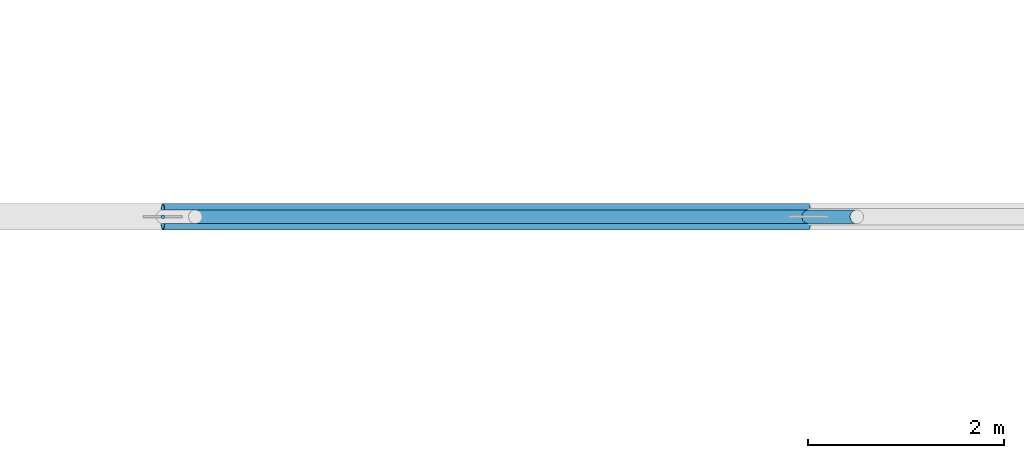
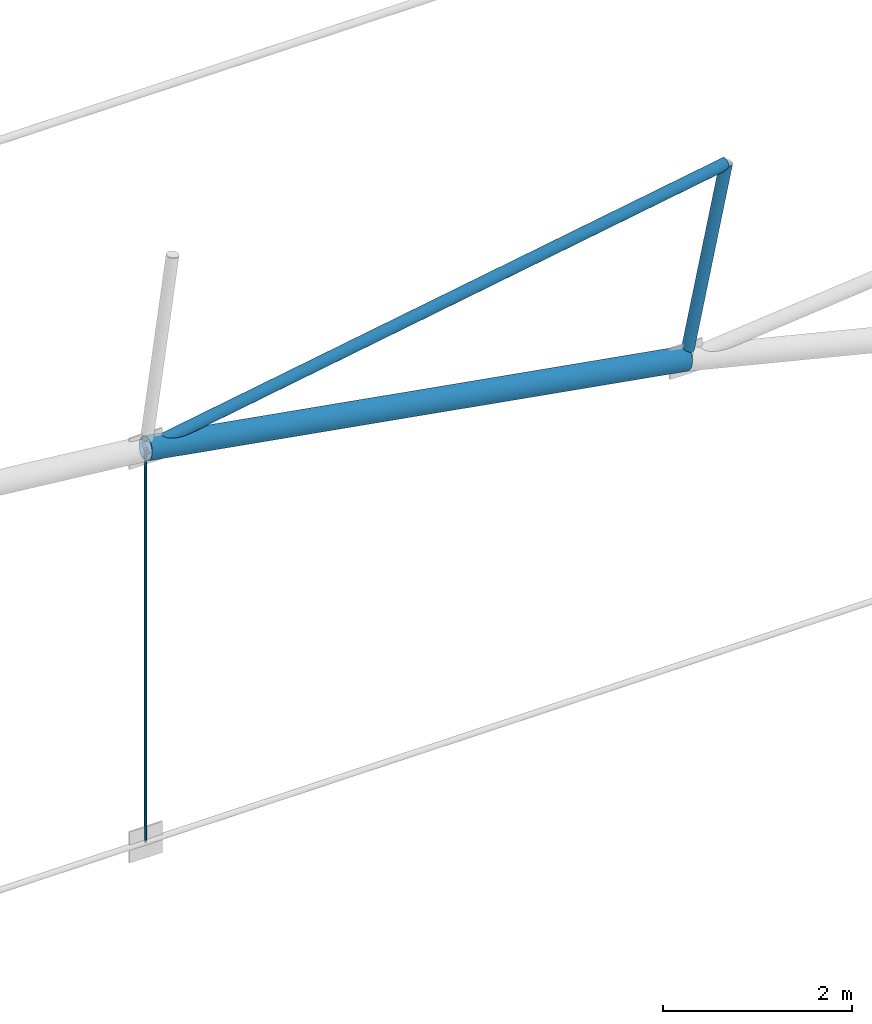
# One storey, part 94 of 321: 4 members.
"""IFC4 building model written with IfcOpenShell, lengths in metres."""

from ifc_helpers import new_model, si_unit, direction, frame, origin, origin_2d, place, context, subcontext, project, spatial, circle, hollow_circle, extrude, material, material_profile, profile_set, type_object, element, save


model = new_model("IFC4")

# Units and contexts
model_context = context("Model", 3, precision=1e-05, world=origin(), true_north=direction((0.0, 1.0)))
body_context = subcontext(model_context, "Body", "Model", "MODEL_VIEW")
ifc_project = project(units=[si_unit("LENGTHUNIT", "METRE"), si_unit("AREAUNIT", "SQUARE_METRE"), si_unit("VOLUMEUNIT", "CUBIC_METRE"), si_unit("PLANEANGLEUNIT", "RADIAN"), si_unit("MASSUNIT", "GRAM", prefix="KILO")], contexts=[model_context])

# Site, building, storey
site_placement = place(None, origin())
site = spatial("IfcSite", under=ifc_project, at=site_placement, CompositionType="ELEMENT")
building_placement = place(site_placement, origin())
building = spatial("IfcBuilding", under=site, at=building_placement, Name="Ravi Spectrum Wholesale Market", CompositionType="ELEMENT")
storey_placement = place(building_placement, frame((0.0, 0.0, 10.800048828125)))
storey = spatial("IfcBuildingStorey", under=building, at=storey_placement, Name="L02", CompositionType="ELEMENT", Elevation=10.800048828125)

# Members
ifc_material_1 = material(Name="Steel S355", Category="steel")
ifc_material_profile_1 = material_profile(ifc_material_1, hollow_circle(Radius=0.06982421875, WallThickness=0.0048828125, at=origin_2d()))
ifc_profile_set_1 = profile_set([ifc_material_profile_1], Name="Steel S355")
member_type_1 = type_object("IfcMemberType", Name="CHS 139.7x5 brace", PredefinedType="BRACE", material=ifc_profile_set_1)
member_1_placement = place(storey_placement, frame((90.44140625, 90.0, 6.30224609375), z_axis=(-0.985982518253, 0.0, -0.166848655074), x_axis=(0.0, -1.0, 0.0)))
element("IfcMember", 1, at=member_1_placement, inside=storey, type_object=member_type_1, Name="H1-MB-L02-478", PredefinedType="BRACE", context=body_context, shape_type="SweptSolid", body=[
    extrude(hollow_circle(Radius=0.06982421875, WallThickness=0.0048828125, at=origin_2d()), origin(), (0.0, 0.0, 1.0), 7.1904296875),
])
ifc_material_2 = material(Name="Steel S355", Category="steel")
ifc_material_profile_2 = material_profile(ifc_material_2, hollow_circle(Radius=0.06982421875, WallThickness=0.0048828125, at=origin_2d()))
ifc_profile_set_2 = profile_set([ifc_material_profile_2], Name="Steel S355")
member_type_2 = type_object("IfcMemberType", Name="CHS 139.7x5 post", PredefinedType="POST", material=ifc_profile_set_2)
member_2_placement = place(storey_placement, frame((90.44140625, 90.0, 6.30224609375), z_axis=(-0.20547728987, 0.0, -0.978661884078), x_axis=(0.0, -1.0, 0.0)))
element("IfcMember", 2, at=member_2_placement, inside=storey, type_object=member_type_2, Name="H1-MB-L02-468", PredefinedType="POST", context=body_context, shape_type="SweptSolid", body=[
    extrude(hollow_circle(Radius=0.06982421875, WallThickness=0.0048828125, at=origin_2d()), origin(), (0.0, 0.0, 1.0), 2.400146484375),
])
ifc_material_3 = material(Name="Steel S355", Category="steel")
ifc_material_profile_3 = material_profile(ifc_material_3, hollow_circle(Radius=0.136474609375, WallThickness=0.010009765625, at=origin_2d()))
ifc_profile_set_3 = profile_set([ifc_material_profile_3], Name="Steel S355")
member_type_3 = type_object("IfcMemberType", Name="CHS 273x10 chord", PredefinedType="CHORD", material=ifc_profile_set_3)
member_3_placement = place(storey_placement, frame((83.351806640625, 90.0, 5.1025390625), z_axis=(0.985162205886, 0.0, -0.171625837489), x_axis=(0.0, 1.0, 0.0)))
element("IfcMember", 3, at=member_3_placement, inside=storey, type_object=member_type_3, Name="H1-MB-L02-456", PredefinedType="CHORD", context=body_context, shape_type="SweptSolid", body=[
    extrude(hollow_circle(Radius=0.136474609375, WallThickness=0.010009765625, at=origin_2d()), origin(), (0.0, 0.0, 1.0), 6.69580078125),
])
ifc_material_4 = material(Name="Steel S355", Category="steel")
ifc_material_profile_4 = material_profile(ifc_material_4, circle(Radius=0.01806640625, at=origin_2d()))
ifc_profile_set_4 = profile_set([ifc_material_profile_4], Name="Steel S355")
member_type_4 = type_object("IfcMemberType", Name="ROD 36 hanger", PredefinedType="STRUT", material=ifc_profile_set_4)
member_4_placement = place(storey_placement, frame((83.351806640625, 90.0, 0.023193359375), z_axis=(0.0, 0.0, 1.0), x_axis=(1.0, 0.0, 0.0)))
element("IfcMember", 4, at=member_4_placement, inside=storey, type_object=member_type_4, Name="H1-MB-L02-485", PredefinedType="STRUT", context=body_context, shape_type="SweptSolid", body=[
    extrude(circle(Radius=0.01806640625, at=origin_2d()), origin(), (0.0, 0.0, 1.0), 5.079345703125),
])

save(model, "model.ifc")
